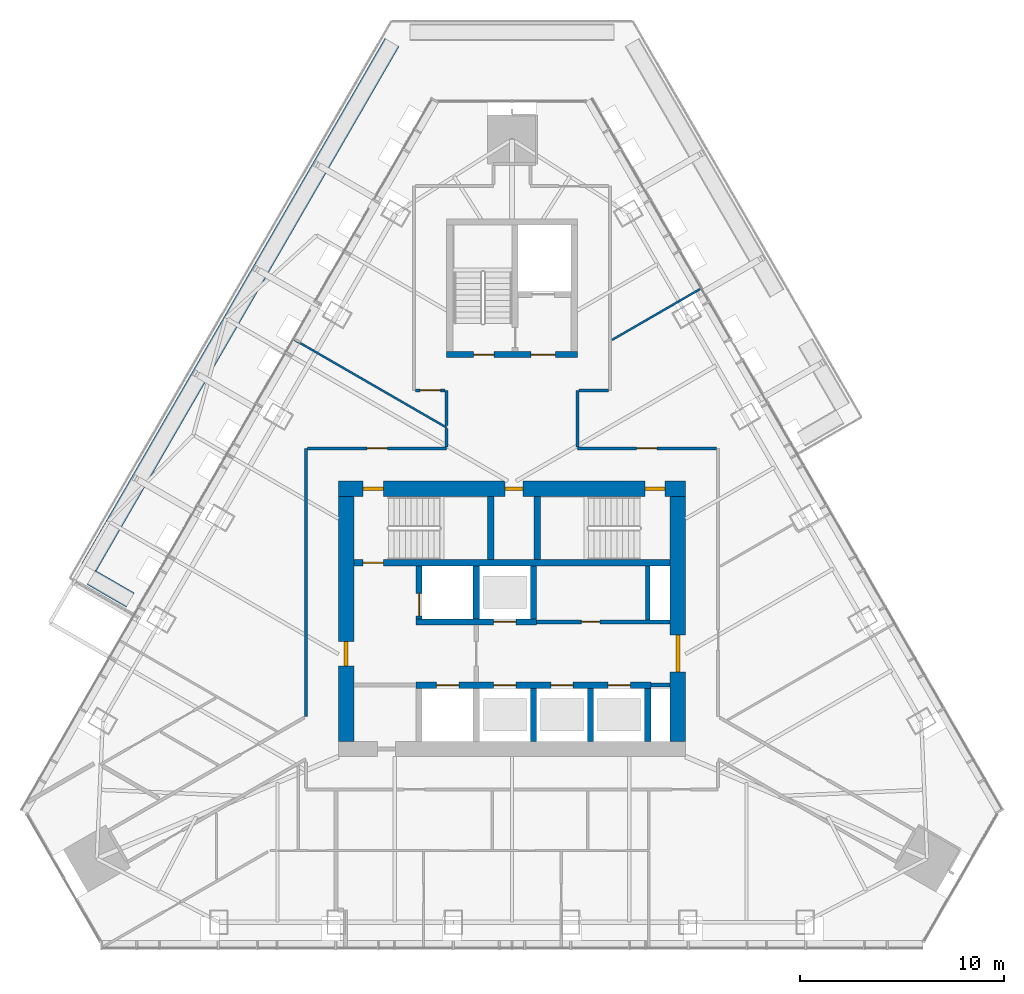
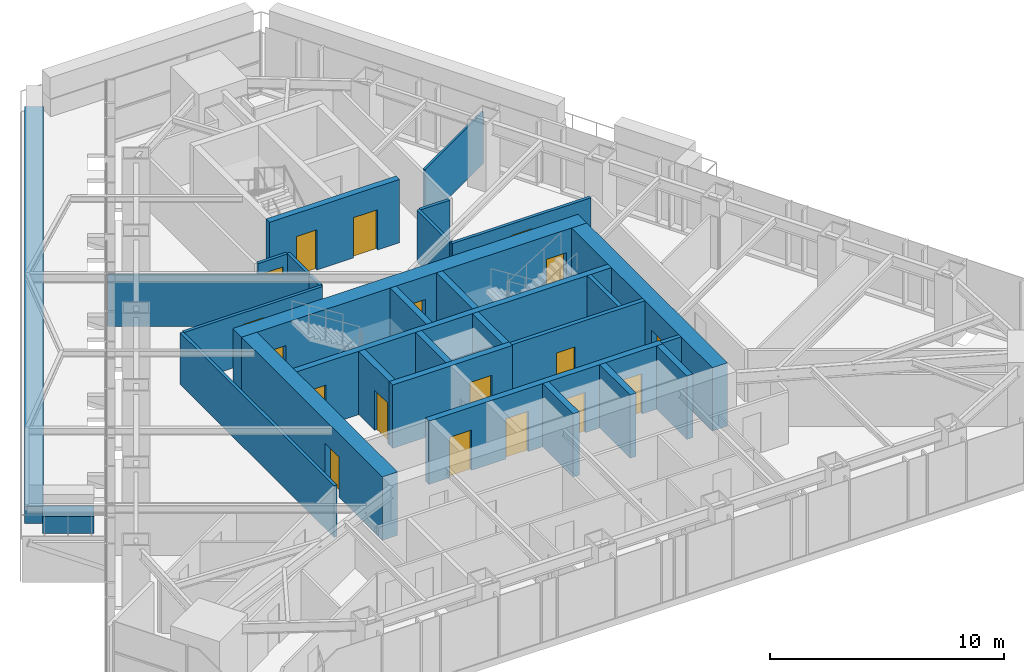
# One storey, part 11 of 16: 30 walls, 18 doors, 18 openings.
"""IFC4 building model written with IfcOpenShell, lengths in metres."""

from ifc_helpers import new_model, si_unit, direction, frame, frame_2d, origin, place, context, subcontext, project, spatial, rectangle, extrude, material, layer, layer_set, type_object, element, fill, save


model = new_model("IFC4")

# Units and contexts
model_context = context("Model", 3, precision=1e-05, world=origin(), true_north=direction((0.0, 1.0)))
body_context = subcontext(model_context, "Body", "Model", "MODEL_VIEW")
ifc_project = project(units=[si_unit("LENGTHUNIT", "METRE"), si_unit("AREAUNIT", "SQUARE_METRE"), si_unit("VOLUMEUNIT", "CUBIC_METRE"), si_unit("PLANEANGLEUNIT", "RADIAN"), si_unit("MASSUNIT", "GRAM", prefix="KILO")], contexts=[model_context])

# Site, building, storey
site_placement = place(None, origin())
site = spatial("IfcSite", under=ifc_project, at=site_placement, CompositionType="ELEMENT")
building_placement = place(site_placement, origin())
building = spatial("IfcBuilding", under=site, at=building_placement, Name="Firuza Gate Tower and Library", CompositionType="ELEMENT")
storey_placement = place(building_placement, frame((0.0, 0.0, 319.60009765625)))
storey = spatial("IfcBuildingStorey", under=building, at=storey_placement, Name="L78", CompositionType="ELEMENT", Elevation=319.60009765625)

# Wall
ifc_material_1 = material(Name="Plasterboard on steel studs", Category="steel")
ifc_layer_1 = layer(ifc_material_1, 0.199951171875)
ifc_layer_set_1 = layer_set([ifc_layer_1], Name="Core partition 200 EI 120")
wall_type_1 = type_object("IfcWallType", Name="Core partition 200 EI 120", PredefinedType="PARTITIONING", material=ifc_layer_set_1)
wall_1_placement = place(storey_placement, frame((81.800048828125, 71.75, 0.0), z_axis=(0.0, 0.0, 1.0), x_axis=(1.0, 0.0, 0.0)))
element("IfcWall", 1, at=wall_1_placement, inside=storey, type_object=wall_type_1, Name="Core partition L78 2", PredefinedType="PARTITIONING", context=body_context, shape_type="SweptSolid", body=[
    extrude(rectangle(XDim=0.949951171875, YDim=0.199951171875, at=frame_2d((0.47509765625, 0.0))), origin(), (0.0, 0.0, 1.0), 3.2998046875),
])

# Wall, opening, door
wall_2_placement = place(storey_placement, frame((76.199951171875, 74.85009765625, 0.0), z_axis=(0.0, 0.0, 1.0), x_axis=(1.0, 0.0, 0.0)))
wall_2 = element("IfcWall", 2, at=wall_2_placement, inside=storey, type_object=wall_type_1, Name="Core partition L78 3", PredefinedType="PARTITIONING", context=body_context, shape_type="SweptSolid", body=[
    extrude(rectangle(XDim=6.550048828125, YDim=0.199951171875, at=frame_2d((3.27490234375, 0.0))), origin(), (0.0, 0.0, 1.0), 3.2998046875),
])
opening_1_placement = place(wall_2_placement, frame((2.199951171875, 0.0, 0.0)))
opening_1 = element("IfcOpeningElement", 3, at=opening_1_placement, cuts=wall_2, Name="Opening L78-K18", PredefinedType="OPENING", context=body_context, shape_type="SweptSolid", body=[
    extrude(rectangle(XDim=0.89990234375, YDim=2.10009765625, at=frame_2d((0.449951171875, 1.050048828125))), frame((0.0, 0.10986328125, 0.0), z_axis=(0.0, -1.0, 0.0), x_axis=(1.0, 0.0, 0.0)), (0.0, 0.0, 1.0), 0.219970703125),
])
ifc_material_2 = material(Name="Steel", Category="steel")
door_type_1 = type_object("IfcDoorType", Name="Fire door 900x2100 FD30S", OperationType="NOTDEFINED", PredefinedType="DOOR", material=ifc_material_2)
door_1_placement = place(opening_1_placement, origin())
door_1 = element("IfcDoor", 4, at=door_1_placement, inside=storey, type_object=door_type_1, Name="Door L78-K18", OperationType="SINGLE_SWING_LEFT", OverallHeight=2.10009765625, OverallWidth=0.89990234375, PredefinedType="DOOR", context=body_context, shape_type="SweptSolid", body=[
    extrude(rectangle(XDim=0.89990234375, YDim=2.10009765625, at=frame_2d((0.449951171875, 1.050048828125))), frame((0.0, 0.02490234375, 0.0), z_axis=(0.0, -1.0, 0.0), x_axis=(1.0, 0.0, 0.0)), (0.0, 0.0, 1.0), 0.050048828125),
])
fill(opening_1, door_1)

# Wall
wall_3_placement = place(storey_placement, frame((81.64990234375, 74.949951171875, 0.0), z_axis=(0.0, 0.0, 1.0), x_axis=(0.0, 1.0, 0.0)))
element("IfcWall", 5, at=wall_3_placement, inside=storey, type_object=wall_type_1, Name="Core partition L78 5", PredefinedType="PARTITIONING", context=body_context, shape_type="SweptSolid", body=[
    extrude(rectangle(XDim=2.650146484375, YDim=0.199951171875, at=frame_2d((1.3251953125, 0.0))), origin(), (0.0, 0.0, 1.0), 3.2998046875),
])

# Wall, openings, doors
ifc_material_3 = material(Name="Concrete C60/75", Category="concrete")
ifc_layer_2 = layer(ifc_material_3, 0.300048828125)
ifc_layer_set_2 = layer_set([ifc_layer_2], Name="Core wall 300 C60/75")
wall_type_2 = type_object("IfcWallType", Name="Core wall 300 C60/75", PredefinedType="SHEAR", material=ifc_layer_set_2)
wall_4_placement = place(storey_placement, frame((70.300048828125, 71.75, 0.0), z_axis=(0.0, 0.0, 1.0), x_axis=(1.0, 0.0, 0.0)))
wall_4 = element("IfcWall", 6, at=wall_4_placement, inside=storey, type_object=wall_type_2, Name="Core wall L78 5", PredefinedType="SHEAR", context=body_context, shape_type="SweptSolid", body=[
    extrude(rectangle(XDim=11.5, YDim=0.300048828125, at=frame_2d((5.75, 0.0))), origin(), (0.0, 0.0, 1.0), 3.2998046875),
])
opening_2_placement = place(wall_4_placement, frame((1.0, 0.0, 0.0)))
opening_2 = element("IfcOpeningElement", 7, at=opening_2_placement, cuts=wall_4, Name="Opening LD-FF1-L78", PredefinedType="OPENING", context=body_context, shape_type="SweptSolid", body=[
    extrude(rectangle(XDim=1.10009765625, YDim=2.10009765625, at=frame_2d((0.550048828125, 1.050048828125))), frame((0.0, 0.16015625, 0.0), z_axis=(0.0, -1.0, 0.0), x_axis=(1.0, 0.0, 0.0)), (0.0, 0.0, 1.0), 0.320068359375),
])
opening_3_placement = place(wall_4_placement, frame((3.800048828125, 0.0, 0.0)))
opening_3 = element("IfcOpeningElement", 8, at=opening_3_placement, cuts=wall_4, Name="Opening LD-HR1-L78", PredefinedType="OPENING", context=body_context, shape_type="SweptSolid", body=[
    extrude(rectangle(XDim=1.10009765625, YDim=2.10009765625, at=frame_2d((0.550048828125, 1.050048828125))), frame((0.0, 0.16015625, 0.0), z_axis=(0.0, -1.0, 0.0), x_axis=(1.0, 0.0, 0.0)), (0.0, 0.0, 1.0), 0.320068359375),
])
opening_4_placement = place(wall_4_placement, frame((6.60009765625, 0.0, 0.0)))
opening_4 = element("IfcOpeningElement", 9, at=opening_4_placement, cuts=wall_4, Name="Opening LD-HR2-L78", PredefinedType="OPENING", context=body_context, shape_type="SweptSolid", body=[
    extrude(rectangle(XDim=1.10009765625, YDim=2.10009765625, at=frame_2d((0.550048828125, 1.050048828125))), frame((0.0, 0.16015625, 0.0), z_axis=(0.0, -1.0, 0.0), x_axis=(1.0, 0.0, 0.0)), (0.0, 0.0, 1.0), 0.320068359375),
])
opening_5_placement = place(wall_4_placement, frame((9.39990234375, 0.0, 0.0)))
opening_5 = element("IfcOpeningElement", 10, at=opening_5_placement, cuts=wall_4, Name="Opening LD-HR3-L78", PredefinedType="OPENING", context=body_context, shape_type="SweptSolid", body=[
    extrude(rectangle(XDim=1.10009765625, YDim=2.10009765625, at=frame_2d((0.550048828125, 1.050048828125))), frame((0.0, 0.16015625, 0.0), z_axis=(0.0, -1.0, 0.0), x_axis=(1.0, 0.0, 0.0)), (0.0, 0.0, 1.0), 0.320068359375),
])
ifc_material_4 = material(Name="Stainless steel", Category="steel")
door_type_2 = type_object("IfcDoorType", Name="Lift landing door 1100x2100", OperationType="DOUBLE_DOOR_SLIDING", PredefinedType="DOOR", material=ifc_material_4)
door_2_placement = place(opening_2_placement, origin())
door_2 = element("IfcDoor", 11, at=door_2_placement, inside=storey, type_object=door_type_2, Name="Landing door FF1 L78", OperationType="DOUBLE_DOOR_SLIDING", OverallHeight=2.10009765625, OverallWidth=1.10009765625, PredefinedType="DOOR", context=body_context, shape_type="SweptSolid", body=[
    extrude(rectangle(XDim=1.10009765625, YDim=2.10009765625, at=frame_2d((0.550048828125, 1.050048828125))), frame((0.0, 0.02490234375, 0.0), z_axis=(0.0, -1.0, 0.0), x_axis=(1.0, 0.0, 0.0)), (0.0, 0.0, 1.0), 0.050048828125),
])
fill(opening_2, door_2)
door_3_placement = place(opening_3_placement, origin())
door_3 = element("IfcDoor", 12, at=door_3_placement, inside=storey, type_object=door_type_2, Name="Landing door HR1 L78", OperationType="DOUBLE_DOOR_SLIDING", OverallHeight=2.10009765625, OverallWidth=1.10009765625, PredefinedType="DOOR", context=body_context, shape_type="SweptSolid", body=[
    extrude(rectangle(XDim=1.10009765625, YDim=2.10009765625, at=frame_2d((0.550048828125, 1.050048828125))), frame((0.0, 0.02490234375, 0.0), z_axis=(0.0, -1.0, 0.0), x_axis=(1.0, 0.0, 0.0)), (0.0, 0.0, 1.0), 0.050048828125),
])
fill(opening_3, door_3)
door_4_placement = place(opening_4_placement, origin())
door_4 = element("IfcDoor", 13, at=door_4_placement, inside=storey, type_object=door_type_2, Name="Landing door HR2 L78", OperationType="DOUBLE_DOOR_SLIDING", OverallHeight=2.10009765625, OverallWidth=1.10009765625, PredefinedType="DOOR", context=body_context, shape_type="SweptSolid", body=[
    extrude(rectangle(XDim=1.10009765625, YDim=2.10009765625, at=frame_2d((0.550048828125, 1.050048828125))), frame((0.0, 0.02490234375, 0.0), z_axis=(0.0, -1.0, 0.0), x_axis=(1.0, 0.0, 0.0)), (0.0, 0.0, 1.0), 0.050048828125),
])
fill(opening_4, door_4)
door_5_placement = place(opening_5_placement, origin())
door_5 = element("IfcDoor", 14, at=door_5_placement, inside=storey, type_object=door_type_2, Name="Landing door HR3 L78", OperationType="DOUBLE_DOOR_SLIDING", OverallHeight=2.10009765625, OverallWidth=1.10009765625, PredefinedType="DOOR", context=body_context, shape_type="SweptSolid", body=[
    extrude(rectangle(XDim=1.10009765625, YDim=2.10009765625, at=frame_2d((0.550048828125, 1.050048828125))), frame((0.0, 0.02490234375, 0.0), z_axis=(0.0, -1.0, 0.0), x_axis=(1.0, 0.0, 0.0)), (0.0, 0.0, 1.0), 0.050048828125),
])
fill(opening_5, door_5)

# Wall, opening, door
wall_5_placement = place(storey_placement, frame((70.300048828125, 74.85009765625, 0.0), z_axis=(0.0, 0.0, 1.0), x_axis=(1.0, 0.0, 0.0)))
wall_5 = element("IfcWall", 15, at=wall_5_placement, inside=storey, type_object=wall_type_2, Name="Core wall L78 6", PredefinedType="SHEAR", context=body_context, shape_type="SweptSolid", body=[
    extrude(rectangle(XDim=5.89990234375, YDim=0.300048828125, at=frame_2d((2.949951171875, 0.0))), origin(), (0.0, 0.0, 1.0), 3.2998046875),
])
opening_6_placement = place(wall_5_placement, frame((3.800048828125, 0.0, 0.0)))
opening_6 = element("IfcOpeningElement", 16, at=opening_6_placement, cuts=wall_5, Name="Opening LD-HR4-L78", PredefinedType="OPENING", context=body_context, shape_type="SweptSolid", body=[
    extrude(rectangle(XDim=1.10009765625, YDim=2.10009765625, at=frame_2d((0.550048828125, 1.050048828125))), frame((0.0, 0.16015625, 0.0), z_axis=(0.0, -1.0, 0.0), x_axis=(1.0, 0.0, 0.0)), (0.0, 0.0, 1.0), 0.320068359375),
])
door_6_placement = place(opening_6_placement, origin())
door_6 = element("IfcDoor", 17, at=door_6_placement, inside=storey, type_object=door_type_2, Name="Landing door HR4 L78", OperationType="DOUBLE_DOOR_SLIDING", OverallHeight=2.10009765625, OverallWidth=1.10009765625, PredefinedType="DOOR", context=body_context, shape_type="SweptSolid", body=[
    extrude(rectangle(XDim=1.10009765625, YDim=2.10009765625, at=frame_2d((0.550048828125, 1.050048828125))), frame((0.0, 0.02490234375, 0.0), z_axis=(0.0, -1.0, 0.0), x_axis=(1.0, 0.0, 0.0)), (0.0, 0.0, 1.0), 0.050048828125),
])
fill(opening_6, door_6)

wall_6_placement = place(storey_placement, frame((70.449951171875, 75.0, 0.0), z_axis=(0.0, 0.0, 1.0), x_axis=(0.0, 1.0, 0.0)))
wall_6 = element("IfcWall", 18, at=wall_6_placement, inside=storey, type_object=wall_type_2, Name="Core wall L78 8", PredefinedType="SHEAR", context=body_context, shape_type="SweptSolid", body=[
    extrude(rectangle(XDim=2.60009765625, YDim=0.300048828125, at=frame_2d((1.300048828125, 0.0))), origin(), (0.0, 0.0, 1.0), 3.2998046875),
])
opening_7_placement = place(wall_6_placement, frame((0.14990234375, 0.0, 0.0)))
opening_7 = element("IfcOpeningElement", 19, at=opening_7_placement, cuts=wall_6, Name="Opening LD-FF2-L78", PredefinedType="OPENING", context=body_context, shape_type="SweptSolid", body=[
    extrude(rectangle(XDim=1.10009765625, YDim=2.10009765625, at=frame_2d((0.550048828125, 1.050048828125))), frame((0.0, 0.16015625, 0.0), z_axis=(0.0, -1.0, 0.0), x_axis=(1.0, 0.0, 0.0)), (0.0, 0.0, 1.0), 0.320068359375),
])
door_7_placement = place(opening_7_placement, origin())
door_7 = element("IfcDoor", 20, at=door_7_placement, inside=storey, type_object=door_type_2, Name="Landing door FF2 L78", OperationType="DOUBLE_DOOR_SLIDING", OverallHeight=2.10009765625, OverallWidth=1.10009765625, PredefinedType="DOOR", context=body_context, shape_type="SweptSolid", body=[
    extrude(rectangle(XDim=1.10009765625, YDim=2.10009765625, at=frame_2d((0.550048828125, 1.050048828125))), frame((0.0, 0.02490234375, 0.0), z_axis=(0.0, -1.0, 0.0), x_axis=(1.0, 0.0, 0.0)), (0.0, 0.0, 1.0), 0.050048828125),
])
fill(opening_7, door_7)

# Walls
for number, where, z_axis, x_axis, name in (
    (21, (73.25, 75.0, 0.0), (0.0, 0.0, 1.0), (0.0, 1.0, 0.0), "Core wall L78 10"),
    (22, (76.050048828125, 69.0, 0.0), (0.0, 0.0, 1.0), (0.0, 1.0, 0.0), "Core wall L78 11"),
    (23, (76.050048828125, 75.0, 0.0), (0.0, 0.0, 1.0), (0.0, 1.0, 0.0), "Core wall L78 12"),
    (24, (78.85009765625, 69.0, 0.0), (0.0, 0.0, 1.0), (0.0, 1.0, 0.0), "Core wall L78 13"),
    (25, (81.64990234375, 69.0, 0.0), (0.0, 0.0, 1.0), (0.0, 1.0, 0.0), "Core wall L78 14"),
):
    element("IfcWall", number, at=place(storey_placement, frame(where, z_axis=z_axis, x_axis=x_axis)), inside=storey, type_object=wall_type_2, Name=name, PredefinedType="SHEAR", context=body_context, shape_type="SweptSolid", body=[
        extrude(rectangle(XDim=2.60009765625, YDim=0.300048828125, at=frame_2d((1.300048828125, 0.0))), origin(), (0.0, 0.0, 1.0), 3.2998046875),
    ])

# Wall, opening, door
wall_7_placement = place(storey_placement, frame((67.25, 77.75, 0.0), z_axis=(0.0, 0.0, 1.0), x_axis=(1.0, 0.0, 0.0)))
wall_7 = element("IfcWall", 26, at=wall_7_placement, inside=storey, type_object=wall_type_2, Name="Core wall L78 15", PredefinedType="SHEAR", context=body_context, shape_type="SweptSolid", body=[
    extrude(rectangle(XDim=15.5, YDim=0.300048828125, at=frame_2d((7.75, 0.0))), origin(), (0.0, 0.0, 1.0), 3.2998046875),
])
opening_8_placement = place(wall_7_placement, frame((0.445068359375, 0.0, 0.0)))
opening_8 = element("IfcOpeningElement", 27, at=opening_8_placement, cuts=wall_7, Name="Opening L78-K08", PredefinedType="OPENING", context=body_context, shape_type="SweptSolid", body=[
    extrude(rectangle(XDim=1.0, YDim=2.10009765625, at=frame_2d((0.5, 1.050048828125))), frame((0.0, 0.16015625, 0.0), z_axis=(0.0, -1.0, 0.0), x_axis=(1.0, 0.0, 0.0)), (0.0, 0.0, 1.0), 0.320068359375),
])
ifc_material_5 = material(Name="Steel", Category="steel")
door_type_3 = type_object("IfcDoorType", Name="Fire door 1000x2100 FD90", OperationType="NOTDEFINED", PredefinedType="DOOR", material=ifc_material_5)
door_8_placement = place(opening_8_placement, origin())
door_8 = element("IfcDoor", 28, at=door_8_placement, inside=storey, type_object=door_type_3, Name="Door L78-K08", OperationType="SINGLE_SWING_LEFT", OverallHeight=2.10009765625, OverallWidth=1.0, PredefinedType="DOOR", context=body_context, shape_type="SweptSolid", body=[
    extrude(rectangle(XDim=1.0, YDim=2.10009765625, at=frame_2d((0.5, 1.050048828125))), frame((0.0, 0.02490234375, 0.0), z_axis=(0.0, -1.0, 0.0), x_axis=(1.0, 0.0, 0.0)), (0.0, 0.0, 1.0), 0.050048828125),
])
fill(opening_8, door_8)

# Walls
for number, where, z_axis, x_axis, name in (
    (29, (73.9599609375, 77.89990234375, 0.0), (0.0, 0.0, 1.0), (0.0, 1.0, 0.0), "Core wall L78 16"),
    (30, (76.239990234375, 77.89990234375, 0.0), (0.0, 0.0, 1.0), (0.0, 1.0, 0.0), "Core wall L78 17"),
):
    element("IfcWall", number, at=place(storey_placement, frame(where, z_axis=z_axis, x_axis=x_axis)), inside=storey, type_object=wall_type_2, Name=name, PredefinedType="SHEAR", context=body_context, shape_type="SweptSolid", body=[
        extrude(rectangle(XDim=3.10009765625, YDim=0.300048828125, at=frame_2d((1.550048828125, 0.0))), origin(), (0.0, 0.0, 1.0), 3.2998046875),
    ])

# Wall, openings, doors
wall_8_placement = place(storey_placement, frame((71.800048828125, 87.949951171875, 0.0), z_axis=(0.0, 0.0, 1.0), x_axis=(1.0, 0.0, 0.0)))
wall_8 = element("IfcWall", 31, at=wall_8_placement, inside=storey, type_object=wall_type_2, Name="Core wall L78 18", PredefinedType="SHEAR", context=body_context, shape_type="SweptSolid", body=[
    extrude(rectangle(XDim=6.39990234375, YDim=0.300048828125, at=frame_2d((3.199951171875, 0.0))), origin(), (0.0, 0.0, 1.0), 3.2998046875),
])
opening_9_placement = place(wall_8_placement, frame((1.324951171875, 0.0, 0.0)))
opening_9 = element("IfcOpeningElement", 32, at=opening_9_placement, cuts=wall_8, Name="Opening L78-K11", PredefinedType="OPENING", context=body_context, shape_type="SweptSolid", body=[
    extrude(rectangle(XDim=1.0, YDim=2.10009765625, at=frame_2d((0.5, 1.050048828125))), frame((0.0, 0.16015625, 0.0), z_axis=(0.0, -1.0, 0.0), x_axis=(1.0, 0.0, 0.0)), (0.0, 0.0, 1.0), 0.320068359375),
])
opening_10_placement = place(wall_8_placement, frame((4.125, 0.0, 0.0)))
opening_10 = element("IfcOpeningElement", 33, at=opening_10_placement, cuts=wall_8, Name="Opening L78-K13", PredefinedType="OPENING", context=body_context, shape_type="SweptSolid", body=[
    extrude(rectangle(XDim=1.199951171875, YDim=2.10009765625, at=frame_2d((0.60009765625, 1.050048828125))), frame((0.0, 0.16015625, 0.0), z_axis=(0.0, -1.0, 0.0), x_axis=(1.0, 0.0, 0.0)), (0.0, 0.0, 1.0), 0.320068359375),
])
door_9_placement = place(opening_9_placement, origin())
door_9 = element("IfcDoor", 34, at=door_9_placement, inside=storey, type_object=door_type_3, Name="Door L78-K11", OperationType="SINGLE_SWING_RIGHT", OverallHeight=2.10009765625, OverallWidth=1.0, PredefinedType="DOOR", context=body_context, shape_type="SweptSolid", body=[
    extrude(rectangle(XDim=1.0, YDim=2.10009765625, at=frame_2d((0.5, 1.050048828125))), frame((0.0, 0.02490234375, 0.0), z_axis=(0.0, -1.0, 0.0), x_axis=(1.0, 0.0, 0.0)), (0.0, 0.0, 1.0), 0.050048828125),
])
fill(opening_9, door_9)
ifc_material_6 = material(Name="Steel", Category="steel")
door_type_4 = type_object("IfcDoorType", Name="Fire door 1200x2100 FD30S", OperationType="NOTDEFINED", PredefinedType="DOOR", material=ifc_material_6)
door_10_placement = place(opening_10_placement, origin())
door_10 = element("IfcDoor", 35, at=door_10_placement, inside=storey, type_object=door_type_4, Name="Door L78-K13", OperationType="SINGLE_SWING_RIGHT", OverallHeight=2.10009765625, OverallWidth=1.199951171875, PredefinedType="DOOR", context=body_context, shape_type="SweptSolid", body=[
    extrude(rectangle(XDim=1.199951171875, YDim=2.10009765625, at=frame_2d((0.60009765625, 1.050048828125))), frame((0.0, 0.02490234375, 0.0), z_axis=(0.0, -1.0, 0.0), x_axis=(1.0, 0.0, 0.0)), (0.0, 0.0, 1.0), 0.050048828125),
])
fill(opening_10, door_10)

ifc_material_7 = material(Name="Concrete C60/75", Category="concrete")
ifc_layer_3 = layer(ifc_material_7, 0.75)
ifc_layer_set_3 = layer_set([ifc_layer_3], Name="Core wall 750 C60/75")
wall_type_3 = type_object("IfcWallType", Name="Core wall 750 C60/75", PredefinedType="SHEAR", material=ifc_layer_set_3)
wall_9_placement = place(storey_placement, frame((66.5, 81.375, 0.0), z_axis=(0.0, 0.0, 1.0), x_axis=(1.0, 0.0, 0.0)))
wall_9 = element("IfcWall", 36, at=wall_9_placement, inside=storey, type_object=wall_type_3, Name="Core wall L78 2", PredefinedType="SHEAR", context=body_context, shape_type="SweptSolid", body=[
    extrude(rectangle(XDim=17.0, YDim=0.75, at=frame_2d((8.5, 0.0))), origin(), (0.0, 0.0, 1.0), 3.2998046875),
])
opening_11_placement = place(wall_9_placement, frame((1.195068359375, 0.0, 0.0)))
opening_11 = element("IfcOpeningElement", 37, at=opening_11_placement, cuts=wall_9, Name="Opening L78-K09", PredefinedType="OPENING", context=body_context, shape_type="SweptSolid", body=[
    extrude(rectangle(XDim=1.0, YDim=2.10009765625, at=frame_2d((0.5, 1.050048828125))), frame((0.0, 0.385009765625, 0.0), z_axis=(0.0, -1.0, 0.0), x_axis=(1.0, 0.0, 0.0)), (0.0, 0.0, 1.0), 0.77001953125),
])
opening_12_placement = place(wall_9_placement, frame((15.0048828125, 0.0, 0.0)))
opening_12 = element("IfcOpeningElement", 38, at=opening_12_placement, cuts=wall_9, Name="Opening L78-K10", PredefinedType="OPENING", context=body_context, shape_type="SweptSolid", body=[
    extrude(rectangle(XDim=1.0, YDim=2.10009765625, at=frame_2d((0.5, 1.050048828125))), frame((0.0, 0.385009765625, 0.0), z_axis=(0.0, -1.0, 0.0), x_axis=(1.0, 0.0, 0.0)), (0.0, 0.0, 1.0), 0.77001953125),
])
opening_13_placement = place(wall_9_placement, frame((8.14990234375, 0.0, 0.0)))
opening_13 = element("IfcOpeningElement", 39, at=opening_13_placement, cuts=wall_9, Name="Opening L78-K19", PredefinedType="OPENING", context=body_context, shape_type="SweptSolid", body=[
    extrude(rectangle(XDim=0.89990234375, YDim=2.10009765625, at=frame_2d((0.449951171875, 1.050048828125))), frame((0.0, 0.385009765625, 0.0), z_axis=(0.0, -1.0, 0.0), x_axis=(1.0, 0.0, 0.0)), (0.0, 0.0, 1.0), 0.77001953125),
])
door_11_placement = place(opening_11_placement, origin())
door_11 = element("IfcDoor", 40, at=door_11_placement, inside=storey, type_object=door_type_3, Name="Door L78-K09", OperationType="SINGLE_SWING_RIGHT", OverallHeight=2.10009765625, OverallWidth=1.0, PredefinedType="DOOR", context=body_context, shape_type="SweptSolid", body=[
    extrude(rectangle(XDim=1.0, YDim=2.10009765625, at=frame_2d((0.5, 1.050048828125))), frame((0.0, 0.094970703125, 0.0), z_axis=(0.0, -1.0, 0.0), x_axis=(1.0, 0.0, 0.0)), (0.0, 0.0, 1.0), 0.18994140625),
])
fill(opening_11, door_11)
door_12_placement = place(opening_12_placement, origin())
door_12 = element("IfcDoor", 41, at=door_12_placement, inside=storey, type_object=door_type_3, Name="Door L78-K10", OperationType="SINGLE_SWING_LEFT", OverallHeight=2.10009765625, OverallWidth=1.0, PredefinedType="DOOR", context=body_context, shape_type="SweptSolid", body=[
    extrude(rectangle(XDim=1.0, YDim=2.10009765625, at=frame_2d((0.5, 1.050048828125))), frame((0.0, 0.094970703125, 0.0), z_axis=(0.0, -1.0, 0.0), x_axis=(1.0, 0.0, 0.0)), (0.0, 0.0, 1.0), 0.18994140625),
])
fill(opening_12, door_12)
door_13_placement = place(opening_13_placement, origin())
door_13 = element("IfcDoor", 42, at=door_13_placement, inside=storey, type_object=door_type_1, Name="Door L78-K19", OperationType="SINGLE_SWING_RIGHT", OverallHeight=2.10009765625, OverallWidth=0.89990234375, PredefinedType="DOOR", context=body_context, shape_type="SweptSolid", body=[
    extrude(rectangle(XDim=0.89990234375, YDim=2.10009765625, at=frame_2d((0.449951171875, 1.050048828125))), frame((0.0, 0.094970703125, 0.0), z_axis=(0.0, -1.0, 0.0), x_axis=(1.0, 0.0, 0.0)), (0.0, 0.0, 1.0), 0.18994140625),
])
fill(opening_13, door_13)

# Wall, opening, door
wall_10_placement = place(storey_placement, frame((66.875, 69.0, 0.0), z_axis=(0.0, 0.0, 1.0), x_axis=(0.0, 1.0, 0.0)))
wall_10 = element("IfcWall", 43, at=wall_10_placement, inside=storey, type_object=wall_type_3, Name="Core wall L78 3", PredefinedType="SHEAR", context=body_context, shape_type="SweptSolid", body=[
    extrude(rectangle(XDim=12.0, YDim=0.75, at=frame_2d((6.0, 0.0))), origin(), (0.0, 0.0, 1.0), 3.2998046875),
])
opening_14_placement = place(wall_10_placement, frame((3.699951171875, 0.0, 0.0)))
opening_14 = element("IfcOpeningElement", 44, at=opening_14_placement, cuts=wall_10, Name="Opening L78-K15", PredefinedType="OPENING", context=body_context, shape_type="SweptSolid", body=[
    extrude(rectangle(XDim=1.199951171875, YDim=2.10009765625, at=frame_2d((0.60009765625, 1.050048828125))), frame((0.0, 0.385009765625, 0.0), z_axis=(0.0, -1.0, 0.0), x_axis=(1.0, 0.0, 0.0)), (0.0, 0.0, 1.0), 0.77001953125),
])
ifc_material_8 = material(Name="Steel", Category="steel")
door_type_5 = type_object("IfcDoorType", Name="Fire door 1200x2100 FD90S", OperationType="NOTDEFINED", PredefinedType="DOOR", material=ifc_material_8)
door_14_placement = place(opening_14_placement, origin())
door_14 = element("IfcDoor", 45, at=door_14_placement, inside=storey, type_object=door_type_5, Name="Door L78-K15", OperationType="SINGLE_SWING_RIGHT", OverallHeight=2.10009765625, OverallWidth=1.199951171875, PredefinedType="DOOR", context=body_context, shape_type="SweptSolid", body=[
    extrude(rectangle(XDim=1.199951171875, YDim=2.10009765625, at=frame_2d((0.60009765625, 1.050048828125))), frame((0.0, 0.094970703125, 0.0), z_axis=(0.0, -1.0, 0.0), x_axis=(1.0, 0.0, 0.0)), (0.0, 0.0, 1.0), 0.18994140625),
])
fill(opening_14, door_14)

wall_11_placement = place(storey_placement, frame((83.125, 69.0, 0.0), z_axis=(0.0, 0.0, 1.0), x_axis=(0.0, 1.0, 0.0)))
wall_11 = element("IfcWall", 46, at=wall_11_placement, inside=storey, type_object=wall_type_3, Name="Core wall L78 4", PredefinedType="SHEAR", context=body_context, shape_type="SweptSolid", body=[
    extrude(rectangle(XDim=12.0, YDim=0.75, at=frame_2d((6.0, 0.0))), origin(), (0.0, 0.0, 1.0), 3.2998046875),
])
opening_15_placement = place(wall_11_placement, frame((3.39990234375, 0.0, 0.0)))
opening_15 = element("IfcOpeningElement", 47, at=opening_15_placement, cuts=wall_11, Name="Opening L78-K16", PredefinedType="OPENING", context=body_context, shape_type="SweptSolid", body=[
    extrude(rectangle(XDim=1.800048828125, YDim=2.10009765625, at=frame_2d((0.89990234375, 1.050048828125))), frame((0.0, 0.385009765625, 0.0), z_axis=(0.0, -1.0, 0.0), x_axis=(1.0, 0.0, 0.0)), (0.0, 0.0, 1.0), 0.77001953125),
])
ifc_material_9 = material(Name="Steel", Category="steel")
door_type_6 = type_object("IfcDoorType", Name="Fire door 1800x2100 FD30S", OperationType="NOTDEFINED", PredefinedType="DOOR", material=ifc_material_9)
door_15_placement = place(opening_15_placement, origin())
door_15 = element("IfcDoor", 48, at=door_15_placement, inside=storey, type_object=door_type_6, Name="Door L78-K16", OperationType="SINGLE_SWING_LEFT", OverallHeight=2.10009765625, OverallWidth=1.800048828125, PredefinedType="DOOR", context=body_context, shape_type="SweptSolid", body=[
    extrude(rectangle(XDim=1.800048828125, YDim=2.10009765625, at=frame_2d((0.89990234375, 1.050048828125))), frame((0.0, 0.094970703125, 0.0), z_axis=(0.0, -1.0, 0.0), x_axis=(1.0, 0.0, 0.0)), (0.0, 0.0, 1.0), 0.18994140625),
])
fill(opening_15, door_15)

ifc_material_10 = material(Name="Gypsum board partition")
ifc_layer_4 = layer(ifc_material_10, 0.14990234375)
ifc_layer_set_4 = layer_set([ifc_layer_4], Name="Corridor wall 150 double board on steel studs")
wall_type_4 = type_object("IfcWallType", Name="Corridor wall 150 double board on steel studs", PredefinedType="PARTITIONING", material=ifc_layer_set_4)
wall_12_placement = place(storey_placement, frame((71.800048828125, 83.35009765625, 0.0), z_axis=(0.0, 0.0, 1.0), x_axis=(-1.0, 0.0, 0.0)))
wall_12 = element("IfcWall", 49, at=wall_12_placement, inside=storey, type_object=wall_type_4, Name="f:L78:w003", PredefinedType="PARTITIONING", context=body_context, shape_type="SweptSolid", body=[
    extrude(rectangle(XDim=6.824462890625, YDim=0.14990234375, at=frame_2d((3.412109375, 0.0))), origin(), (0.0, 0.0, 1.0), 2.699951171875),
])
opening_16_placement = place(wall_12_placement, frame((2.912109375, 0.0, 0.0)))
opening_16 = element("IfcOpeningElement", 50, at=opening_16_placement, cuts=wall_12, Name="Opening L78-08", PredefinedType="OPENING", context=body_context, shape_type="SweptSolid", body=[
    extrude(rectangle(XDim=1.0, YDim=2.10009765625, at=frame_2d((0.5, 1.050048828125))), frame((0.0, 0.0849609375, 0.0), z_axis=(0.0, -1.0, 0.0), x_axis=(1.0, 0.0, 0.0)), (0.0, 0.0, 1.0), 0.169921875),
])
ifc_material_11 = material(Name="Steel door and timber leaf", Category="steel")
door_type_7 = type_object("IfcDoorType", Name="Fire door 1000 x 2100 steel frame, timber leaf", OperationType="NOTDEFINED", PredefinedType="DOOR", material=ifc_material_11)
door_16_placement = place(opening_16_placement, origin())
door_16 = element("IfcDoor", 51, at=door_16_placement, inside=storey, type_object=door_type_7, Name="f:L78:d008", OperationType="SINGLE_SWING_RIGHT", OverallHeight=2.10009765625, OverallWidth=1.0, PredefinedType="DOOR", context=body_context, shape_type="SweptSolid", body=[
    extrude(rectangle(XDim=1.0, YDim=2.10009765625, at=frame_2d((0.5, 1.050048828125))), frame((0.0, 0.02490234375, 0.0), z_axis=(0.0, -1.0, 0.0), x_axis=(1.0, 0.0, 0.0)), (0.0, 0.0, 1.0), 0.050048828125),
])
fill(opening_16, door_16)

wall_13_placement = place(storey_placement, frame((78.199951171875, 83.35009765625, 0.0), z_axis=(0.0, 0.0, 1.0), x_axis=(1.0, 0.0, 0.0)))
wall_13 = element("IfcWall", 52, at=wall_13_placement, inside=storey, type_object=wall_type_4, Name="f:L78:w004", PredefinedType="PARTITIONING", context=body_context, shape_type="SweptSolid", body=[
    extrude(rectangle(XDim=6.824462890625, YDim=0.14990234375, at=frame_2d((3.412109375, 0.0))), origin(), (0.0, 0.0, 1.0), 2.699951171875),
])
opening_17_placement = place(wall_13_placement, frame((2.912109375, 0.0, 0.0)))
opening_17 = element("IfcOpeningElement", 53, at=opening_17_placement, cuts=wall_13, Name="Opening L78-09", PredefinedType="OPENING", context=body_context, shape_type="SweptSolid", body=[
    extrude(rectangle(XDim=1.0, YDim=2.10009765625, at=frame_2d((0.5, 1.050048828125))), frame((0.0, 0.0849609375, 0.0), z_axis=(0.0, -1.0, 0.0), x_axis=(1.0, 0.0, 0.0)), (0.0, 0.0, 1.0), 0.169921875),
])
door_17_placement = place(opening_17_placement, origin())
door_17 = element("IfcDoor", 54, at=door_17_placement, inside=storey, type_object=door_type_7, Name="f:L78:d009", OperationType="SINGLE_SWING_RIGHT", OverallHeight=2.10009765625, OverallWidth=1.0, PredefinedType="DOOR", context=body_context, shape_type="SweptSolid", body=[
    extrude(rectangle(XDim=1.0, YDim=2.10009765625, at=frame_2d((0.5, 1.050048828125))), frame((0.0, 0.02490234375, 0.0), z_axis=(0.0, -1.0, 0.0), x_axis=(1.0, 0.0, 0.0)), (0.0, 0.0, 1.0), 0.050048828125),
])
fill(opening_17, door_17)

wall_14_placement = place(storey_placement, frame((70.275634765625, 86.199951171875, 0.0), z_axis=(0.0, 0.0, 1.0), x_axis=(1.0, 0.0, 0.0)))
wall_14 = element("IfcWall", 55, at=wall_14_placement, inside=storey, type_object=wall_type_4, Name="f:L78:w005", PredefinedType="PARTITIONING", context=body_context, shape_type="SweptSolid", body=[
    extrude(rectangle(XDim=1.449462890625, YDim=0.14990234375, at=frame_2d((0.724609375, 0.0))), origin(), (0.0, 0.0, 1.0), 2.699951171875),
])
opening_18_placement = place(wall_14_placement, frame((0.224609375, 0.0, 0.0)))
opening_18 = element("IfcOpeningElement", 56, at=opening_18_placement, cuts=wall_14, Name="Opening L78-10", PredefinedType="OPENING", context=body_context, shape_type="SweptSolid", body=[
    extrude(rectangle(XDim=1.0, YDim=2.10009765625, at=frame_2d((0.5, 1.050048828125))), frame((0.0, 0.0849609375, 0.0), z_axis=(0.0, -1.0, 0.0), x_axis=(1.0, 0.0, 0.0)), (0.0, 0.0, 1.0), 0.169921875),
])
door_18_placement = place(opening_18_placement, origin())
door_18 = element("IfcDoor", 57, at=door_18_placement, inside=storey, type_object=door_type_7, Name="f:L78:d010", OperationType="SINGLE_SWING_RIGHT", OverallHeight=2.10009765625, OverallWidth=1.0, PredefinedType="DOOR", context=body_context, shape_type="SweptSolid", body=[
    extrude(rectangle(XDim=1.0, YDim=2.10009765625, at=frame_2d((0.5, 1.050048828125))), frame((0.0, 0.02490234375, 0.0), z_axis=(0.0, -1.0, 0.0), x_axis=(1.0, 0.0, 0.0)), (0.0, 0.0, 1.0), 0.050048828125),
])
fill(opening_18, door_18)

# Walls
wall_15_placement = place(storey_placement, frame((78.27490234375, 86.199951171875, 0.0), z_axis=(0.0, 0.0, 1.0), x_axis=(1.0, 0.0, 0.0)))
element("IfcWall", 58, at=wall_15_placement, inside=storey, type_object=wall_type_4, Name="f:L78:w006", PredefinedType="PARTITIONING", context=body_context, shape_type="SweptSolid", body=[
    extrude(rectangle(XDim=1.449462890625, YDim=0.14990234375, at=frame_2d((0.724609375, 0.0))), origin(), (0.0, 0.0, 1.0), 2.699951171875),
])
wall_16_placement = place(storey_placement, frame((78.199951171875, 83.425048828125, 0.0), z_axis=(0.0, 0.0, 1.0), x_axis=(0.0, 1.0, 0.0)))
element("IfcWall", 59, at=wall_16_placement, inside=storey, type_object=wall_type_4, Name="f:L78:w027", PredefinedType="PARTITIONING", context=body_context, shape_type="SweptSolid", body=[
    extrude(rectangle(XDim=2.77490234375, YDim=0.14990234375, at=frame_2d((1.387451171875, 0.0))), origin(), (0.0, 0.0, 1.0), 2.699951171875),
])
wall_17_placement = place(storey_placement, frame((71.800048828125, 83.425048828125, 0.0), z_axis=(0.0, 0.0, 1.0), x_axis=(0.0, 1.0, 0.0)))
element("IfcWall", 60, at=wall_17_placement, inside=storey, type_object=wall_type_4, Name="f:L78:w034", PredefinedType="PARTITIONING", context=body_context, shape_type="SweptSolid", body=[
    extrude(rectangle(XDim=0.901123046875, YDim=0.14990234375, at=frame_2d((0.45068359375, 0.0))), origin(), (0.0, 0.0, 1.0), 2.699951171875),
])
wall_18_placement = place(storey_placement, frame((64.89990234375, 70.2080078125, 0.0), z_axis=(0.0, 0.0, 1.0), x_axis=(0.0, 1.0, 0.0)))
element("IfcWall", 61, at=wall_18_placement, inside=storey, type_object=wall_type_4, Name="f:L78:w040", PredefinedType="PARTITIONING", context=body_context, shape_type="SweptSolid", body=[
    extrude(rectangle(XDim=13.141357421875, YDim=0.14990234375, at=frame_2d((6.57080078125, 0.0))), origin(), (0.0, 0.0, 1.0), 2.699951171875),
])
wall_19_placement = place(storey_placement, frame((71.800048828125, 84.470458984375, 0.0), z_axis=(0.0, 0.0, 1.0), x_axis=(0.0, 1.0, 0.0)))
element("IfcWall", 62, at=wall_19_placement, inside=storey, type_object=wall_type_4, Name="f:L78:w054", PredefinedType="PARTITIONING", context=body_context, shape_type="SweptSolid", body=[
    extrude(rectangle(XDim=1.7294921875, YDim=0.14990234375, at=frame_2d((0.86474609375, 0.0))), origin(), (0.0, 0.0, 1.0), 2.699951171875),
])
ifc_material_12 = material(Name="Gypsum board partition")
ifc_layer_5 = layer(ifc_material_12, 0.10009765625)
ifc_layer_set_5 = layer_set([ifc_layer_5], Name="Partition 100 gypsum board on steel studs")
wall_type_5 = type_object("IfcWallType", Name="Partition 100 gypsum board on steel studs", PredefinedType="PARTITIONING", material=ifc_layer_set_5)
wall_20_placement = place(storey_placement, frame((79.90087890625, 88.667724609375, 0.0), z_axis=(0.0, 0.0, 1.0), x_axis=(0.866025588148, 0.499999680672, 0.0)))
element("IfcWall", 63, at=wall_20_placement, inside=storey, type_object=wall_type_5, Name="f:L78:w019", PredefinedType="PARTITIONING", context=body_context, shape_type="SweptSolid", body=[
    extrude(rectangle(XDim=5.005859375, YDim=0.10009765625, at=frame_2d((2.5029296875, 0.0))), origin(), (0.0, 0.0, 1.0), 2.699951171875),
])
wall_21_placement = place(storey_placement, frame((71.800048828125, 84.369384765625, 0.0), z_axis=(0.0, 0.0, 1.0), x_axis=(-0.866030088378, 0.499991885958, 0.0)))
element("IfcWall", 64, at=wall_21_placement, inside=storey, type_object=wall_type_5, Name="f:L78:w045", PredefinedType="PARTITIONING", context=body_context, shape_type="SweptSolid", body=[
    extrude(rectangle(XDim=8.628173828125, YDim=0.10009765625, at=frame_2d((4.31396484375, 0.0))), origin(), (0.0, 0.0, 1.0), 2.68798828125),
])
ifc_material_13 = material(Name="Concrete C40/50", Category="concrete")
ifc_layer_6 = layer(ifc_material_13, 0.800048828125)
ifc_layer_set_6 = layer_set([ifc_layer_6], Name="Planter wall 800")
wall_type_6 = type_object("IfcWallType", Name="Planter wall 800", PredefinedType="SOLIDWALL", material=ifc_layer_set_6)
wall_22_placement = place(storey_placement, frame((69.116943359375, 103.238037109375, 0.0), z_axis=(0.0, 0.0, 1.0), x_axis=(-0.500002433271, -0.86602399893, 0.0)))
element("IfcWall", 65, at=wall_22_placement, inside=storey, type_object=wall_type_6, Name="PLANTER L78 5", PredefinedType="SOLIDWALL", context=body_context, shape_type="SweptSolid", body=[
    extrude(rectangle(XDim=29.714599609375, YDim=0.800048828125, at=frame_2d((14.857421875, 0.0))), origin(), (0.0, 0.0, 1.0), 0.89990234375),
])
wall_23_placement = place(storey_placement, frame((54.3876953125, 77.0263671875, 0.0), z_axis=(0.0, 0.0, 1.0), x_axis=(0.866008176907, -0.50002983664, 0.0)))
element("IfcWall", 66, at=wall_23_placement, inside=storey, type_object=wall_type_6, Name="PLANTER L78 6", PredefinedType="SOLIDWALL", context=body_context, shape_type="SweptSolid", body=[
    extrude(rectangle(XDim=2.199951171875, YDim=0.800048828125, at=frame_2d((1.10009765625, 0.0))), origin(), (0.0, 0.0, 1.0), 0.89990234375),
])

save(model, "model.ifc")
